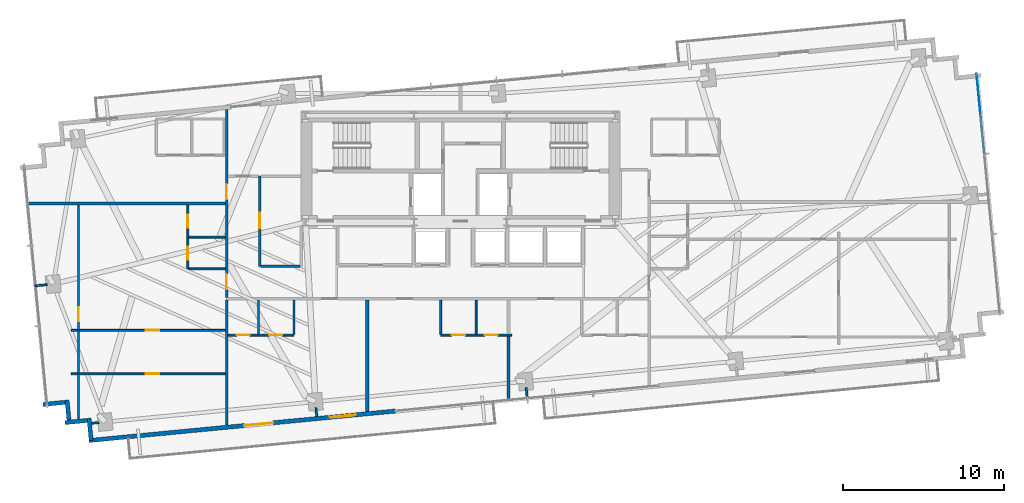
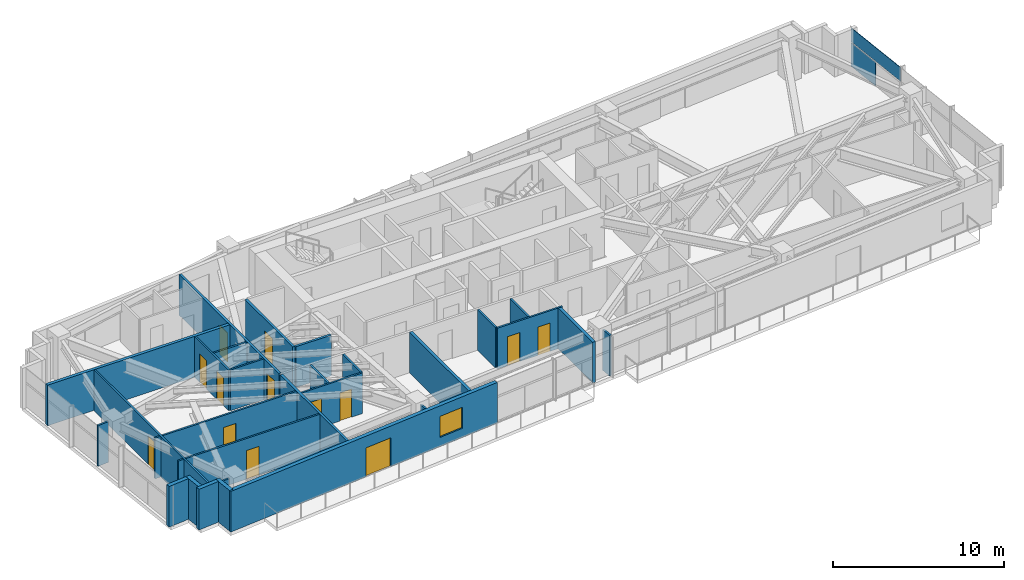
# One storey, part 21 of 27: 30 walls, 13 doors, 2 plates, 1 window, 14 openings, 1 element without a shape of its own.
"""IFC4 building model written with IfcOpenShell, lengths in metres."""

from ifc_helpers import new_model, si_unit, direction, frame, frame_2d, origin, origin_2d, place, context, subcontext, project, spatial, rectangle, extrude, source, transform, mapped, material, layer, layer_set, type_object, type_shapes, element, fill, aggregate, save


model = new_model("IFC4")

# Units and contexts
model_context = context("Model", 3, precision=1e-05, world=origin(), true_north=direction((0.0, 1.0)))
body_context = subcontext(model_context, "Body", "Model", "MODEL_VIEW")
ifc_project = project(units=[si_unit("LENGTHUNIT", "METRE"), si_unit("AREAUNIT", "SQUARE_METRE"), si_unit("VOLUMEUNIT", "CUBIC_METRE"), si_unit("PLANEANGLEUNIT", "RADIAN"), si_unit("MASSUNIT", "GRAM", prefix="KILO")], contexts=[model_context])

# Site, building, storey
site_placement = place(None, origin())
site = spatial("IfcSite", under=ifc_project, at=site_placement, CompositionType="ELEMENT")
building_placement = place(site_placement, origin())
building = spatial("IfcBuilding", under=site, at=building_placement, Name="Astriad Promenade Condominiums", CompositionType="ELEMENT")
storey_placement = place(building_placement, frame((0.0, 0.0, 116.199951171875)))
storey = spatial("IfcBuildingStorey", under=building, at=storey_placement, Name="L33", CompositionType="ELEMENT", Elevation=116.199951171875)

# Curtain wall, plates
ifc_material_1 = material(Name="Anodised aluminium Black Dark Glass Unitised", Category="aluminium")
curtain_wall_type = type_object("IfcCurtainWallType", Name="CW-B2-DARK", PredefinedType="USERDEFINED", material=ifc_material_1)
curtain_wall_placement = place(storey_placement, origin())
curtain_wall = element("IfcCurtainWall", 1, at=curtain_wall_placement, inside=storey, type_object=curtain_wall_type, Name="CW-L33-E", ObjectType="UNITISED_CURTAIN_WALL", PredefinedType="USERDEFINED")
ifc_material_2 = material(Name="Dark Tinted Low-E Laminated Glass", Category="glass")
ifc_layer_1 = layer(ifc_material_2, 0.035888671875)
ifc_layer_set_1 = layer_set([ifc_layer_1], Name="Dark Tinted Low-E Laminated Glass")
plate_type = type_object("IfcPlateType", Name="PNL-DARK-GLASS-36", PredefinedType="CURTAIN_PANEL", material=ifc_layer_set_1)
shared_shape_1 = source(origin(), body_context, "Body", "SweptSolid", [
    extrude(rectangle(XDim=2.488037109375, YDim=0.035888671875, at=origin_2d()), origin(), (0.0, 0.0, 1.0), 1.677978515625),
])
plate_1_placement = place(storey_placement, frame((68.134521484375, 25.364990234375, 0.080078125), z_axis=(0.0, 0.0, 1.0), x_axis=(0.09584575252, -0.995396198367, 0.0)))
plate_1 = element("IfcPlate", 2, at=plate_1_placement, type_object=plate_type, Name="CW-L33-E-PNL-00-VL", PredefinedType="CURTAIN_PANEL", context=body_context, shape_type="MappedRepresentation", body=[
    mapped(shared_shape_1, transform((0.0, 0.0, 0.0), scale=1.0)),
])
shared_shape_2 = source(origin(), body_context, "Body", "SweptSolid", [
    extrude(rectangle(XDim=4.988037109375, YDim=0.035888671875, at=origin_2d()), origin(), (0.0, 0.0, 1.0), 0.98193359375),
])
type_shapes(plate_type, [shared_shape_1, shared_shape_2])
plate_2_placement = place(storey_placement, frame((68.254150390625, 24.12060546875, 1.838134765625), z_axis=(0.0, 0.0, 1.0), x_axis=(0.09584575252, -0.995396198367, 0.0)))
plate_2 = element("IfcPlate", 3, at=plate_2_placement, type_object=plate_type, Name="CW-L33-E-PNL-00-S", PredefinedType="CURTAIN_PANEL", context=body_context, shape_type="MappedRepresentation", body=[
    mapped(shared_shape_2, transform((0.0, 0.0, 0.0), scale=1.0)),
])
aggregate(curtain_wall, [plate_1, plate_2])

# Wall
ifc_material_3 = material(Name="Fire-Rated Gypsum Partition")
ifc_layer_2 = layer(ifc_material_3, 0.159912109375)
ifc_layer_set_2 = layer_set([ifc_layer_2], Name="Fire-Rated Gypsum Partition")
wall_type_1 = type_object("IfcWallType", Name="WALL-CORR-160", PredefinedType="PARTITIONING", material=ifc_layer_set_2)
wall_1_placement = place(storey_placement, frame((21.5, 4.8125, 0.0), z_axis=(0.0, 0.0, 1.0), x_axis=(0.0, 1.0, 0.0)))
element("IfcWall", 4, at=wall_1_placement, inside=storey, type_object=wall_type_1, Name="PT-COR-W-L33", PredefinedType="PARTITIONING", context=body_context, shape_type="SweptSolid", body=[
    extrude(rectangle(XDim=7.755615234375, YDim=0.159912109375, at=frame_2d((3.8779296875, 0.0))), origin(), (0.0, 0.0, 1.0), 2.900146484375),
])

# Wall, openings, doors
wall_2_placement = place(storey_placement, frame((21.5, 12.73193359375, 0.0), z_axis=(0.0, 0.0, 1.0), x_axis=(0.0, 1.0, 0.0)))
wall_2 = element("IfcWall", 5, at=wall_2_placement, inside=storey, type_object=wall_type_1, Name="PT-COR-W-L33-S2", PredefinedType="PARTITIONING", context=body_context, shape_type="SweptSolid", body=[
    extrude(rectangle(XDim=11.646728515625, YDim=0.159912109375, at=frame_2d((5.8232421875, 0.0))), origin(), (0.0, 0.0, 1.0), 2.900146484375),
])
opening_1_placement = place(wall_2_placement, frame((0.492919921875, 0.0, 0.0)))
opening_1 = element("IfcOpeningElement", 6, at=opening_1_placement, cuts=wall_2, Name="Opening FD60-APT-095", PredefinedType="OPENING", context=body_context, shape_type="SweptSolid", body=[
    extrude(rectangle(XDim=0.949951171875, YDim=2.06005859375, at=frame_2d((0.47509765625, 1.030029296875))), frame((0.0, 0.08984375, 0.0), z_axis=(0.0, -1.0, 0.0), x_axis=(1.0, 0.0, 0.0)), (0.0, 0.0, 1.0), 0.179931640625),
])
opening_2_placement = place(wall_2_placement, frame((6.0849609375, 0.0, 0.0)))
opening_2 = element("IfcOpeningElement", 7, at=opening_2_placement, cuts=wall_2, Name="Opening FD60-APT-095", PredefinedType="OPENING", context=body_context, shape_type="SweptSolid", body=[
    extrude(rectangle(XDim=0.949951171875, YDim=2.06005859375, at=frame_2d((0.47509765625, 1.030029296875))), frame((0.0, 0.08984375, 0.0), z_axis=(0.0, -1.0, 0.0), x_axis=(1.0, 0.0, 0.0)), (0.0, 0.0, 1.0), 0.179931640625),
])
ifc_material_4 = material(Name="Solid-Core Acoustic Timber Residence Entry Door", Category="wood")
door_type_1 = type_object("IfcDoorType", Name="FD60-APT-095", OperationType="NOTDEFINED", PredefinedType="DOOR", material=ifc_material_4)
shared_shape_3 = source(origin(), body_context, "Body", "SweptSolid", [
    extrude(rectangle(XDim=0.949951171875, YDim=2.06005859375, at=frame_2d((0.47509765625, 1.030029296875))), frame((0.0, 0.02490234375, 0.0), z_axis=(0.0, -1.0, 0.0), x_axis=(1.0, 0.0, 0.0)), (0.0, 0.0, 1.0), 0.050048828125),
])
type_shapes(door_type_1, [shared_shape_3])
door_1_placement = place(opening_1_placement, origin())
door_1 = element("IfcDoor", 8, at=door_1_placement, inside=storey, type_object=door_type_1, Name="D-ENT-L33-W1", OperationType="SINGLE_SWING_LEFT", OverallHeight=2.06005859375, OverallWidth=0.949951171875, PredefinedType="DOOR", context=body_context, shape_type="MappedRepresentation", body=[
    mapped(shared_shape_3, transform((0.0, 0.0, 0.0), scale=1.0)),
])
fill(opening_1, door_1)
door_2_placement = place(opening_2_placement, origin())
door_2 = element("IfcDoor", 9, at=door_2_placement, inside=storey, type_object=door_type_1, Name="D-ENT-L33-W2", OperationType="SINGLE_SWING_LEFT", OverallHeight=2.06005859375, OverallWidth=0.949951171875, PredefinedType="DOOR", context=body_context, shape_type="MappedRepresentation", body=[
    mapped(shared_shape_3, transform((0.0, 0.0, 0.0), scale=1.0)),
])
fill(opening_2, door_2)

# Wall, opening, door
wall_3_placement = place(storey_placement, frame((23.550048828125, 14.659912109375, 0.0), z_axis=(0.0, 0.0, 1.0), x_axis=(0.0, 1.0, 0.0)))
wall_3 = element("IfcWall", 10, at=wall_3_placement, inside=storey, type_object=wall_type_1, Name="PT-HK-E-L33", PredefinedType="PARTITIONING", context=body_context, shape_type="SweptSolid", body=[
    extrude(rectangle(XDim=5.590087890625, YDim=0.159912109375, at=frame_2d((2.794921875, 0.0))), origin(), (0.0, 0.0, 1.0), 2.900146484375),
])
opening_3_placement = place(wall_3_placement, frame((2.360107421875, 0.0, 0.0)))
opening_3 = element("IfcOpeningElement", 11, at=opening_3_placement, cuts=wall_3, Name="Opening FD60-APT-095", PredefinedType="OPENING", context=body_context, shape_type="SweptSolid", body=[
    extrude(rectangle(XDim=0.949951171875, YDim=2.06005859375, at=frame_2d((0.47509765625, 1.030029296875))), frame((0.0, 0.08984375, 0.0), z_axis=(0.0, -1.0, 0.0), x_axis=(1.0, 0.0, 0.0)), (0.0, 0.0, 1.0), 0.179931640625),
])
door_3_placement = place(opening_3_placement, origin())
door_3 = element("IfcDoor", 12, at=door_3_placement, inside=storey, type_object=door_type_1, Name="D-HKA-L33", OperationType="SINGLE_SWING_RIGHT", OverallHeight=2.06005859375, OverallWidth=0.949951171875, PredefinedType="DOOR", context=body_context, shape_type="MappedRepresentation", body=[
    mapped(shared_shape_3, transform((0.0, 0.0, 0.0), scale=1.0)),
])
fill(opening_3, door_3)

# Walls
wall_4_placement = place(storey_placement, frame((23.632080078125, 14.659912109375, 0.0), z_axis=(0.0, 0.0, 1.0), x_axis=(1.0, 0.0, 0.0)))
element("IfcWall", 13, at=wall_4_placement, inside=storey, type_object=wall_type_1, Name="PT-HK-S-L33", PredefinedType="PARTITIONING", context=body_context, shape_type="SweptSolid", body=[
    extrude(rectangle(XDim=2.406005859375, YDim=0.159912109375, at=frame_2d((1.203125, 0.0))), origin(), (0.0, 0.0, 1.0), 2.900146484375),
])
ifc_material_5 = material(Name="Acoustic Double-Stud Gypsum Partition")
ifc_layer_3 = layer(ifc_material_5, 0.199951171875)
ifc_layer_set_3 = layer_set([ifc_layer_3], Name="Acoustic Double-Stud Gypsum Partition")
wall_type_2 = type_object("IfcWallType", Name="WALL-DEMISING-200", PredefinedType="PARTITIONING", material=ifc_layer_set_3)
wall_5_placement = place(storey_placement, frame((30.22509765625, 5.652587890625, 0.0), z_axis=(0.0, 0.0, 1.0), x_axis=(0.0, 1.0, 0.0)))
element("IfcWall", 14, at=wall_5_placement, inside=storey, type_object=wall_type_2, Name="PT-DEM-S1-L33", PredefinedType="PARTITIONING", context=body_context, shape_type="SweptSolid", body=[
    extrude(rectangle(XDim=6.91552734375, YDim=0.199951171875, at=frame_2d((3.457763671875, 0.0))), origin(), (0.0, 0.0, 1.0), 2.900146484375),
])
wall_6_placement = place(storey_placement, frame((38.97509765625, 6.3125, 0.0), z_axis=(0.0, 0.0, 1.0), x_axis=(0.0, 1.0, 0.0)))
element("IfcWall", 15, at=wall_6_placement, inside=storey, type_object=wall_type_2, Name="PT-DEM-S2-L33", PredefinedType="PARTITIONING", context=body_context, shape_type="SweptSolid", body=[
    extrude(rectangle(XDim=4.025390625, YDim=0.199951171875, at=frame_2d((2.0126953125, 0.0))), origin(), (0.0, 0.0, 1.0), 2.900146484375),
])
wall_7_placement = place(storey_placement, frame((9.1259765625, 18.550048828125, 0.0), z_axis=(0.0, 0.0, 1.0), x_axis=(1.0, 0.0, 0.0)))
element("IfcWall", 16, at=wall_7_placement, inside=storey, type_object=wall_type_2, Name="PT-DEM-WW-L33", PredefinedType="PARTITIONING", context=body_context, shape_type="SweptSolid", body=[
    extrude(rectangle(XDim=12.2919921875, YDim=0.199951171875, at=frame_2d((6.14599609375, 0.0))), origin(), (0.0, 0.0, 1.0), 2.900146484375),
])
ifc_material_6 = material(Name="Precast concrete C50/60", Category="concrete")
ifc_layer_4 = layer(ifc_material_6, 0.260009765625)
ifc_layer_set_4 = layer_set([ifc_layer_4], Name="Precast concrete C50/60")
wall_type_3 = type_object("IfcWallType", Name="WALL-EXT-TWR-260", PredefinedType="STANDARD", material=ifc_layer_set_4)
for number, where, z_axis, x_axis, name in (
    (17, (12.86669921875, 5.1044921875, 0.0), (0.0, 0.0, 1.0), (-0.995389446633, -0.095915846097, 0.0), "W-SER-L33-00"),
    (18, (11.738525390625, 4.98095703125, 0.0), (0.0, 0.0, 1.0), (-0.095915846097, 0.995389446633, 0.0), "W-SER-L33-01"),
):
    element("IfcWall", number, at=place(storey_placement, frame(where, z_axis=z_axis, x_axis=x_axis)), inside=storey, type_object=wall_type_3, Name=name, PredefinedType="STANDARD", context=body_context, shape_type="SweptSolid", body=[
        extrude(rectangle(XDim=1.394775390625, YDim=0.260009765625, at=frame_2d((0.697265625, 0.0))), origin(), (0.0, 0.0, 1.0), 2.900146484375),
    ])
wall_8_placement = place(storey_placement, frame((11.502685546875, 6.22900390625, 0.0), z_axis=(0.0, 0.0, 1.0), x_axis=(-0.995391056452, -0.09589913835, 0.0)))
element("IfcWall", 19, at=wall_8_placement, inside=storey, type_object=wall_type_3, Name="W-SER-L33-02", PredefinedType="STANDARD", context=body_context, shape_type="SweptSolid", body=[
    extrude(rectangle(XDim=1.39501953125, YDim=0.260009765625, at=frame_2d((0.697509765625, 0.0))), origin(), (0.0, 0.0, 1.0), 2.900146484375),
])

# Wall, openings, door, window
wall_9_placement = place(storey_placement, frame((31.99365234375, 5.6904296875, 0.0), z_axis=(0.0, 0.0, 1.0), x_axis=(-0.995396521236, -0.095842399342, 0.0)))
wall_9 = element("IfcWall", 20, at=wall_9_placement, inside=storey, type_object=wall_type_3, Name="W-EXT-L33-S2", PredefinedType="STANDARD", context=body_context, shape_type="SweptSolid", body=[
    extrude(rectangle(XDim=19.10986328125, YDim=0.260009765625, at=frame_2d((9.554931640625, 0.0))), origin(), (0.0, 0.0, 1.0), 2.900146484375),
])
opening_4_placement = place(wall_9_placement, frame((7.6298828125, 0.0, 0.0)))
opening_4 = element("IfcOpeningElement", 21, at=opening_4_placement, cuts=wall_9, Name="Opening BD-1822-SLD", PredefinedType="OPENING", context=body_context, shape_type="SweptSolid", body=[
    extrude(rectangle(XDim=1.800048828125, YDim=2.06005859375, at=frame_2d((0.89990234375, 1.030029296875))), frame((0.0, 0.139892578125, 0.0), z_axis=(0.0, -1.0, 0.0), x_axis=(1.0, 0.0, 0.0)), (0.0, 0.0, 1.0), 0.280029296875),
])
opening_5_placement = place(wall_9_placement, frame((2.5, 0.0, 0.64990234375)))
opening_5 = element("IfcOpeningElement", 22, at=opening_5_placement, cuts=wall_9, Name="Opening WIN-TWR-1620", PredefinedType="OPENING", context=body_context, shape_type="SweptSolid", body=[
    extrude(rectangle(XDim=1.60009765625, YDim=1.5, at=frame_2d((0.800048828125, 0.75))), frame((0.0, 0.139892578125, 0.0), z_axis=(0.0, -1.0, 0.0), x_axis=(1.0, 0.0, 0.0)), (0.0, 0.0, 1.0), 0.280029296875),
])
ifc_material_7 = material(Name="Thermally Broken Aluminium Sliding Balcony Door", Category="aluminium")
door_type_2 = type_object("IfcDoorType", Name="BD-1822-SLD", OperationType="NOTDEFINED", PredefinedType="DOOR", material=ifc_material_7)
shared_shape_4 = source(origin(), body_context, "Body", "SweptSolid", [
    extrude(rectangle(XDim=1.800048828125, YDim=2.06005859375, at=frame_2d((0.89990234375, 1.030029296875))), frame((0.0, 0.02490234375, 0.0), z_axis=(0.0, -1.0, 0.0), x_axis=(1.0, 0.0, 0.0)), (0.0, 0.0, 1.0), 0.050048828125),
])
type_shapes(door_type_2, [shared_shape_4])
door_4_placement = place(opening_4_placement, origin())
door_4 = element("IfcDoor", 23, at=door_4_placement, inside=storey, type_object=door_type_2, Name="BD-L33-SW", OperationType="SLIDING_TO_LEFT", OverallHeight=2.06005859375, OverallWidth=1.800048828125, PredefinedType="DOOR", context=body_context, shape_type="MappedRepresentation", body=[
    mapped(shared_shape_4, transform((0.0, 0.0, 0.0), scale=1.0)),
])
fill(opening_4, door_4)
ifc_material_8 = material(Name="Dark Tinted Triple-Glazed Aluminium Window", Category="aluminium")
window_type = type_object("IfcWindowType", Name="WIN-TWR-1620", PartitioningType="SINGLE_PANEL", PredefinedType="WINDOW", material=ifc_material_8)
shared_shape_5 = source(origin(), body_context, "Body", "SweptSolid", [
    extrude(rectangle(XDim=1.60009765625, YDim=1.5, at=frame_2d((0.800048828125, 0.75))), frame((0.0, 0.030029296875, 0.0), z_axis=(0.0, -1.0, 0.0), x_axis=(1.0, 0.0, 0.0)), (0.0, 0.0, 1.0), 0.06005859375),
])
type_shapes(window_type, [shared_shape_5])
window_placement = place(opening_5_placement, origin())
window = element("IfcWindow", 24, at=window_placement, inside=storey, type_object=window_type, Name="WIN-L33-SW", OverallHeight=1.5, OverallWidth=1.60009765625, PartitioningType="SINGLE_PANEL", PredefinedType="WINDOW", context=body_context, shape_type="MappedRepresentation", body=[
    mapped(shared_shape_5, transform((0.0, 0.0, 0.0), scale=1.0)),
])
fill(opening_5, window)

# Wall
wall_10_placement = place(storey_placement, frame((13.1025390625, 3.8564453125, 0.0), z_axis=(0.0, 0.0, 1.0), x_axis=(-0.09589913835, 0.995391056452, 0.0)))
element("IfcWall", 25, at=wall_10_placement, inside=storey, type_object=wall_type_3, Name="W-SER-L33-19", PredefinedType="STANDARD", context=body_context, shape_type="SweptSolid", body=[
    extrude(rectangle(XDim=1.39501953125, YDim=0.260009765625, at=frame_2d((0.697509765625, 0.0))), origin(), (0.0, 0.0, 1.0), 2.900146484375),
])

# Wall, openings, doors
ifc_material_9 = material(Name="Acoustic Metal-Stud Gypsum Partition")
ifc_layer_5 = layer(ifc_material_9, 0.1201171875)
ifc_layer_set_5 = layer_set([ifc_layer_5], Name="Acoustic Metal-Stud Gypsum Partition")
wall_type_4 = type_object("IfcWallType", Name="WALL-PART-120", PredefinedType="PARTITIONING", material=ifc_layer_set_5)
wall_11_placement = place(storey_placement, frame((21.58203125, 10.39990234375, 0.0), z_axis=(0.0, 0.0, 1.0), x_axis=(1.0, 0.0, 0.0)))
wall_11 = element("IfcWall", 26, at=wall_11_placement, inside=storey, type_object=wall_type_4, Name="PT-L33-S1-PS", PredefinedType="PARTITIONING", context=body_context, shape_type="SweptSolid", body=[
    extrude(rectangle(XDim=4.097900390625, YDim=0.1201171875, at=frame_2d((2.048828125, 0.0))), origin(), (0.0, 0.0, 1.0), 2.900146484375),
])
opening_6_placement = place(wall_11_placement, frame((0.548095703125, 0.0, 0.0)))
opening_6 = element("IfcOpeningElement", 27, at=opening_6_placement, cuts=wall_11, Name="Opening D-WET-080", PredefinedType="OPENING", context=body_context, shape_type="SweptSolid", body=[
    extrude(rectangle(XDim=0.800048828125, YDim=2.02001953125, at=frame_2d((0.39990234375, 1.010009765625))), frame((0.0, 0.070068359375, 0.0), z_axis=(0.0, -1.0, 0.0), x_axis=(1.0, 0.0, 0.0)), (0.0, 0.0, 1.0), 0.14013671875),
])
opening_7_placement = place(wall_11_placement, frame((2.572998046875, 0.0, 0.0)))
opening_7 = element("IfcOpeningElement", 28, at=opening_7_placement, cuts=wall_11, Name="Opening D-ULOW-080", PredefinedType="OPENING", context=body_context, shape_type="SweptSolid", body=[
    extrude(rectangle(XDim=0.800048828125, YDim=2.0, at=frame_2d((0.39990234375, 1.0))), frame((0.0, 0.070068359375, 0.0), z_axis=(0.0, -1.0, 0.0), x_axis=(1.0, 0.0, 0.0)), (0.0, 0.0, 1.0), 0.14013671875),
])
ifc_material_10 = material(Name="Moisture-Resistant Timber Bathroom Door", Category="wood")
door_type_3 = type_object("IfcDoorType", Name="D-WET-080", OperationType="NOTDEFINED", PredefinedType="DOOR", material=ifc_material_10)
shared_shape_6 = source(origin(), body_context, "Body", "SweptSolid", [
    extrude(rectangle(XDim=0.800048828125, YDim=2.02001953125, at=frame_2d((0.39990234375, 1.010009765625))), frame((0.0, 0.02490234375, 0.0), z_axis=(0.0, -1.0, 0.0), x_axis=(1.0, 0.0, 0.0)), (0.0, 0.0, 1.0), 0.050048828125),
])
type_shapes(door_type_3, [shared_shape_6])
door_5_placement = place(opening_6_placement, origin())
door_5 = element("IfcDoor", 29, at=door_5_placement, inside=storey, type_object=door_type_3, Name="D-BTH-L33-S1", OperationType="SINGLE_SWING_LEFT", OverallHeight=2.02001953125, OverallWidth=0.800048828125, PredefinedType="DOOR", context=body_context, shape_type="MappedRepresentation", body=[
    mapped(shared_shape_6, transform((0.0, 0.0, 0.0), scale=1.0)),
])
fill(opening_6, door_5)
ifc_material_11 = material(Name="Painted Timber Low-Headroom Door", Category="wood")
door_type_4 = type_object("IfcDoorType", Name="D-ULOW-080", OperationType="NOTDEFINED", PredefinedType="DOOR", material=ifc_material_11)
shared_shape_7 = source(origin(), body_context, "Body", "SweptSolid", [
    extrude(rectangle(XDim=0.800048828125, YDim=2.0, at=frame_2d((0.39990234375, 1.0))), frame((0.0, 0.02490234375, 0.0), z_axis=(0.0, -1.0, 0.0), x_axis=(1.0, 0.0, 0.0)), (0.0, 0.0, 1.0), 0.050048828125),
])
type_shapes(door_type_4, [shared_shape_7])
door_6_placement = place(opening_7_placement, origin())
door_6 = element("IfcDoor", 30, at=door_6_placement, inside=storey, type_object=door_type_4, Name="D-KIT-L33-S1", OperationType="SINGLE_SWING_RIGHT", OverallHeight=2.0, OverallWidth=0.800048828125, PredefinedType="DOOR", context=body_context, shape_type="MappedRepresentation", body=[
    mapped(shared_shape_7, transform((0.0, 0.0, 0.0), scale=1.0)),
])
fill(opening_7, door_6)

# Walls
for number, where, z_axis, x_axis, name in (
    (31, (25.679931640625, 10.4619140625, 0.0), (0.0, 0.0, 1.0), (0.0, 1.0, 0.0), "PT-L33-S1-PK"),
    (32, (23.47998046875, 10.4619140625, 0.0), (0.0, 0.0, 1.0), (0.0, 1.0, 0.0), "PT-L33-S1-PB"),
):
    element("IfcWall", number, at=place(storey_placement, frame(where, z_axis=z_axis, x_axis=x_axis)), inside=storey, type_object=wall_type_4, Name=name, PredefinedType="PARTITIONING", context=body_context, shape_type="SweptSolid", body=[
        extrude(rectangle(XDim=2.106201171875, YDim=0.1201171875, at=frame_2d((1.05322265625, 0.0))), origin(), (0.0, 0.0, 1.0), 2.900146484375),
    ])

# Wall, openings, doors
wall_12_placement = place(storey_placement, frame((34.77490234375, 10.39990234375, 0.0), z_axis=(0.0, 0.0, 1.0), x_axis=(1.0, 0.0, 0.0)))
wall_12 = element("IfcWall", 33, at=wall_12_placement, inside=storey, type_object=wall_type_4, Name="PT-L33-S2-PS", PredefinedType="PARTITIONING", context=body_context, shape_type="SweptSolid", body=[
    extrude(rectangle(XDim=4.400146484375, YDim=0.1201171875, at=frame_2d((2.2001953125, 0.0))), origin(), (0.0, 0.0, 1.0), 2.900146484375),
])
opening_8_placement = place(wall_12_placement, frame((0.675048828125, 0.0, 0.0)))
opening_8 = element("IfcOpeningElement", 34, at=opening_8_placement, cuts=wall_12, Name="Opening D-INT-085", PredefinedType="OPENING", context=body_context, shape_type="SweptSolid", body=[
    extrude(rectangle(XDim=0.85009765625, YDim=2.050048828125, at=frame_2d((0.425048828125, 1.02490234375))), frame((0.0, 0.070068359375, 0.0), z_axis=(0.0, -1.0, 0.0), x_axis=(1.0, 0.0, 0.0)), (0.0, 0.0, 1.0), 0.14013671875),
])
opening_9_placement = place(wall_12_placement, frame((2.75, 0.0, 0.0)))
opening_9 = element("IfcOpeningElement", 35, at=opening_9_placement, cuts=wall_12, Name="Opening D-WET-080", PredefinedType="OPENING", context=body_context, shape_type="SweptSolid", body=[
    extrude(rectangle(XDim=0.800048828125, YDim=2.02001953125, at=frame_2d((0.39990234375, 1.010009765625))), frame((0.0, 0.070068359375, 0.0), z_axis=(0.0, -1.0, 0.0), x_axis=(1.0, 0.0, 0.0)), (0.0, 0.0, 1.0), 0.14013671875),
])
door_7_placement = place(opening_9_placement, origin())
door_7 = element("IfcDoor", 36, at=door_7_placement, inside=storey, type_object=door_type_3, Name="D-BTH-L33-S2", OperationType="SINGLE_SWING_LEFT", OverallHeight=2.02001953125, OverallWidth=0.800048828125, PredefinedType="DOOR", context=body_context, shape_type="MappedRepresentation", body=[
    mapped(shared_shape_6, transform((0.0, 0.0, 0.0), scale=1.0)),
])
fill(opening_9, door_7)
ifc_material_12 = material(Name="Painted Solid-Core Timber Room Door", Category="wood")
door_type_5 = type_object("IfcDoorType", Name="D-INT-085", OperationType="NOTDEFINED", PredefinedType="DOOR", material=ifc_material_12)
shared_shape_8 = source(origin(), body_context, "Body", "SweptSolid", [
    extrude(rectangle(XDim=0.85009765625, YDim=2.050048828125, at=frame_2d((0.425048828125, 1.02490234375))), frame((0.0, 0.02490234375, 0.0), z_axis=(0.0, -1.0, 0.0), x_axis=(1.0, 0.0, 0.0)), (0.0, 0.0, 1.0), 0.050048828125),
])
type_shapes(door_type_5, [shared_shape_8])
door_8_placement = place(opening_8_placement, origin())
door_8 = element("IfcDoor", 37, at=door_8_placement, inside=storey, type_object=door_type_5, Name="D-KIT-L33-S2", OperationType="SINGLE_SWING_RIGHT", OverallHeight=2.050048828125, OverallWidth=0.85009765625, PredefinedType="DOOR", context=body_context, shape_type="MappedRepresentation", body=[
    mapped(shared_shape_8, transform((0.0, 0.0, 0.0), scale=1.0)),
])
fill(opening_8, door_8)

# Walls
for number, where, z_axis, x_axis, name in (
    (38, (34.77490234375, 10.4619140625, 0.0), (0.0, 0.0, 1.0), (0.0, 1.0, 0.0), "PT-L33-S2-PK"),
    (39, (36.97509765625, 10.4619140625, 0.0), (0.0, 0.0, 1.0), (0.0, 1.0, 0.0), "PT-L33-S2-PB"),
):
    element("IfcWall", number, at=place(storey_placement, frame(where, z_axis=z_axis, x_axis=x_axis)), inside=storey, type_object=wall_type_4, Name=name, PredefinedType="PARTITIONING", context=body_context, shape_type="SweptSolid", body=[
        extrude(rectangle(XDim=2.106201171875, YDim=0.1201171875, at=frame_2d((1.05322265625, 0.0))), origin(), (0.0, 0.0, 1.0), 2.900146484375),
    ])

# Wall, openings, doors
wall_13_placement = place(storey_placement, frame((19.10009765625, 14.5, 0.0), z_axis=(0.0, 0.0, 1.0), x_axis=(0.0, 1.0, 0.0)))
wall_13 = element("IfcWall", 40, at=wall_13_placement, inside=storey, type_object=wall_type_4, Name="PT-L33-W1-PV", PredefinedType="PARTITIONING", context=body_context, shape_type="SweptSolid", body=[
    extrude(rectangle(XDim=3.947998046875, YDim=0.1201171875, at=frame_2d((1.97412109375, 0.0))), origin(), (0.0, 0.0, 1.0), 2.900146484375),
])
opening_10_placement = place(wall_13_placement, frame((0.56298828125, 0.0, 0.0)))
opening_10 = element("IfcOpeningElement", 41, at=opening_10_placement, cuts=wall_13, Name="Opening D-ULOW-080", PredefinedType="OPENING", context=body_context, shape_type="SweptSolid", body=[
    extrude(rectangle(XDim=0.800048828125, YDim=2.0, at=frame_2d((0.39990234375, 1.0))), frame((0.0, 0.070068359375, 0.0), z_axis=(0.0, -1.0, 0.0), x_axis=(1.0, 0.0, 0.0)), (0.0, 0.0, 1.0), 0.14013671875),
])
opening_11_placement = place(wall_13_placement, frame((2.56201171875, 0.0, 0.0)))
opening_11 = element("IfcOpeningElement", 42, at=opening_11_placement, cuts=wall_13, Name="Opening D-WET-080", PredefinedType="OPENING", context=body_context, shape_type="SweptSolid", body=[
    extrude(rectangle(XDim=0.800048828125, YDim=2.02001953125, at=frame_2d((0.39990234375, 1.010009765625))), frame((0.0, 0.070068359375, 0.0), z_axis=(0.0, -1.0, 0.0), x_axis=(1.0, 0.0, 0.0)), (0.0, 0.0, 1.0), 0.14013671875),
])
door_9_placement = place(opening_11_placement, origin())
door_9 = element("IfcDoor", 43, at=door_9_placement, inside=storey, type_object=door_type_3, Name="D-BTH-L33-W1", OperationType="SINGLE_SWING_LEFT", OverallHeight=2.02001953125, OverallWidth=0.800048828125, PredefinedType="DOOR", context=body_context, shape_type="MappedRepresentation", body=[
    mapped(shared_shape_6, transform((0.0, 0.0, 0.0), scale=1.0)),
])
fill(opening_11, door_9)
door_10_placement = place(opening_10_placement, origin())
door_10 = element("IfcDoor", 44, at=door_10_placement, inside=storey, type_object=door_type_4, Name="D-KIT-L33-W1", OperationType="SINGLE_SWING_RIGHT", OverallHeight=2.0, OverallWidth=0.800048828125, PredefinedType="DOOR", context=body_context, shape_type="MappedRepresentation", body=[
    mapped(shared_shape_7, transform((0.0, 0.0, 0.0), scale=1.0)),
])
fill(opening_10, door_10)

# Walls
for number, where, z_axis, x_axis, name in (
    (45, (19.162109375, 16.47509765625, 0.0), (0.0, 0.0, 1.0), (1.0, 0.0, 0.0), "PT-L33-W1-PM"),
    (46, (19.162109375, 14.5, 0.0), (0.0, 0.0, 1.0), (1.0, 0.0, 0.0), "PT-L33-W1-PS"),
):
    element("IfcWall", number, at=place(storey_placement, frame(where, z_axis=z_axis, x_axis=x_axis)), inside=storey, type_object=wall_type_4, Name=name, PredefinedType="PARTITIONING", context=body_context, shape_type="SweptSolid", body=[
        extrude(rectangle(XDim=2.255859375, YDim=0.1201171875, at=frame_2d((1.1279296875, 0.0))), origin(), (0.0, 0.0, 1.0), 2.900146484375),
    ])

# Wall, opening, door
wall_14_placement = place(storey_placement, frame((12.31494140625, 5.18408203125, 0.0), z_axis=(0.0, 0.0, 1.0), x_axis=(0.0, 1.0, 0.0)))
wall_14 = element("IfcWall", 47, at=wall_14_placement, inside=storey, type_object=wall_type_4, Name="PT-L33-W1-B1", PredefinedType="PARTITIONING", context=body_context, shape_type="SweptSolid", body=[
    extrude(rectangle(XDim=13.263916015625, YDim=0.1201171875, at=frame_2d((6.6318359375, 0.0))), origin(), (0.0, 0.0, 1.0), 2.900146484375),
])
opening_12_placement = place(wall_14_placement, frame((6.075927734375, 0.0, 0.0)))
opening_12 = element("IfcOpeningElement", 48, at=opening_12_placement, cuts=wall_14, Name="Opening D-INT-085", PredefinedType="OPENING", context=body_context, shape_type="SweptSolid", body=[
    extrude(rectangle(XDim=0.85009765625, YDim=2.050048828125, at=frame_2d((0.425048828125, 1.02490234375))), frame((0.0, 0.070068359375, 0.0), z_axis=(0.0, -1.0, 0.0), x_axis=(1.0, 0.0, 0.0)), (0.0, 0.0, 1.0), 0.14013671875),
])
door_11_placement = place(opening_12_placement, origin())
door_11 = element("IfcDoor", 49, at=door_11_placement, inside=storey, type_object=door_type_5, Name="D-BD1-L33-W1", OperationType="SINGLE_SWING_RIGHT", OverallHeight=2.050048828125, OverallWidth=0.85009765625, PredefinedType="DOOR", context=body_context, shape_type="MappedRepresentation", body=[
    mapped(shared_shape_8, transform((0.0, 0.0, 0.0), scale=1.0)),
])
fill(opening_12, door_11)

# Wall
wall_15_placement = place(storey_placement, frame((11.875, 7.9951171875, 0.0), z_axis=(0.0, 0.0, 1.0), x_axis=(1.0, 0.0, 0.0)))
element("IfcWall", 50, at=wall_15_placement, inside=storey, type_object=wall_type_4, Name="PT-L33-W1-WDS1", PredefinedType="PARTITIONING", context=body_context, shape_type="SweptSolid", body=[
    extrude(rectangle(XDim=0.3779296875, YDim=0.1201171875, at=frame_2d((0.18896484375, 0.0))), origin(), (0.0, 0.0, 1.0), 2.900146484375),
])

# Wall, opening, door
wall_16_placement = place(storey_placement, frame((12.376953125, 7.9951171875, 0.0), z_axis=(0.0, 0.0, 1.0), x_axis=(1.0, 0.0, 0.0)))
wall_16 = element("IfcWall", 51, at=wall_16_placement, inside=storey, type_object=wall_type_4, Name="PT-L33-W1-WDS1-S2", PredefinedType="PARTITIONING", context=body_context, shape_type="SweptSolid", body=[
    extrude(rectangle(XDim=9.041015625, YDim=0.1201171875, at=frame_2d((4.5205078125, 0.0))), origin(), (0.0, 0.0, 1.0), 2.900146484375),
])
opening_13_placement = place(wall_16_placement, frame((4.095947265625, 0.0, 0.0)))
opening_13 = element("IfcOpeningElement", 52, at=opening_13_placement, cuts=wall_16, Name="Opening D-INT-085", PredefinedType="OPENING", context=body_context, shape_type="SweptSolid", body=[
    extrude(rectangle(XDim=0.85009765625, YDim=2.050048828125, at=frame_2d((0.425048828125, 1.02490234375))), frame((0.0, 0.070068359375, 0.0), z_axis=(0.0, -1.0, 0.0), x_axis=(1.0, 0.0, 0.0)), (0.0, 0.0, 1.0), 0.14013671875),
])
door_12_placement = place(opening_13_placement, origin())
door_12 = element("IfcDoor", 53, at=door_12_placement, inside=storey, type_object=door_type_5, Name="D-WDS1-L33-W1", OperationType="SINGLE_SWING_LEFT", OverallHeight=2.050048828125, OverallWidth=0.85009765625, PredefinedType="DOOR", context=body_context, shape_type="MappedRepresentation", body=[
    mapped(shared_shape_8, transform((0.0, 0.0, 0.0), scale=1.0)),
])
fill(opening_13, door_12)

# Wall
wall_17_placement = place(storey_placement, frame((11.875, 10.69189453125, 0.0), z_axis=(0.0, 0.0, 1.0), x_axis=(1.0, 0.0, 0.0)))
element("IfcWall", 54, at=wall_17_placement, inside=storey, type_object=wall_type_4, Name="PT-L33-W1-WDS2", PredefinedType="PARTITIONING", context=body_context, shape_type="SweptSolid", body=[
    extrude(rectangle(XDim=0.3779296875, YDim=0.1201171875, at=frame_2d((0.18896484375, 0.0))), origin(), (0.0, 0.0, 1.0), 2.900146484375),
])

# Wall, opening, door
wall_18_placement = place(storey_placement, frame((12.376953125, 10.69189453125, 0.0), z_axis=(0.0, 0.0, 1.0), x_axis=(1.0, 0.0, 0.0)))
wall_18 = element("IfcWall", 55, at=wall_18_placement, inside=storey, type_object=wall_type_4, Name="PT-L33-W1-WDS2-S2", PredefinedType="PARTITIONING", context=body_context, shape_type="SweptSolid", body=[
    extrude(rectangle(XDim=9.041015625, YDim=0.1201171875, at=frame_2d((4.5205078125, 0.0))), origin(), (0.0, 0.0, 1.0), 2.900146484375),
])
opening_14_placement = place(wall_18_placement, frame((4.095947265625, 0.0, 0.0)))
opening_14 = element("IfcOpeningElement", 56, at=opening_14_placement, cuts=wall_18, Name="Opening D-INT-085", PredefinedType="OPENING", context=body_context, shape_type="SweptSolid", body=[
    extrude(rectangle(XDim=0.85009765625, YDim=2.050048828125, at=frame_2d((0.425048828125, 1.02490234375))), frame((0.0, 0.070068359375, 0.0), z_axis=(0.0, -1.0, 0.0), x_axis=(1.0, 0.0, 0.0)), (0.0, 0.0, 1.0), 0.14013671875),
])
door_13_placement = place(opening_14_placement, origin())
door_13 = element("IfcDoor", 57, at=door_13_placement, inside=storey, type_object=door_type_5, Name="D-WDS2-L33-W1", OperationType="SINGLE_SWING_RIGHT", OverallHeight=2.050048828125, OverallWidth=0.85009765625, PredefinedType="DOOR", context=body_context, shape_type="MappedRepresentation", body=[
    mapped(shared_shape_8, transform((0.0, 0.0, 0.0), scale=1.0)),
])
fill(opening_14, door_13)

# Walls
wall_19_placement = place(storey_placement, frame((13.587646484375, 4.972900390625, 0.0), z_axis=(0.0, 0.0, 1.0), x_axis=(-0.995435366701, -0.095438098896, 0.0)))
element("IfcWall", 58, at=wall_19_placement, inside=storey, type_object=wall_type_4, Name="PT-PIL-L33-PC01-8", PredefinedType="PARTITIONING", context=body_context, shape_type="SweptSolid", body=[
    extrude(rectangle(XDim=0.4580078125, YDim=0.1201171875, at=frame_2d((0.22900390625, 0.0))), origin(), (0.0, 0.0, 1.0), 2.900146484375),
])
wall_20_placement = place(storey_placement, frame((27.0419921875, 5.88671875, 0.0), z_axis=(0.0, 0.0, 1.0), x_axis=(0.096222656154, -0.995359834654, 0.0)))
element("IfcWall", 59, at=wall_20_placement, inside=storey, type_object=wall_type_4, Name="PT-PIL-L33-PC02-9", PredefinedType="PARTITIONING", context=body_context, shape_type="SweptSolid", body=[
    extrude(rectangle(XDim=0.537841796875, YDim=0.1201171875, at=frame_2d((0.26904296875, 0.0))), origin(), (0.0, 0.0, 1.0), 2.900146484375),
])
wall_21_placement = place(storey_placement, frame((40.081787109375, 7.142333984375, 0.0), z_axis=(0.0, 0.0, 1.0), x_axis=(0.095944965663, -0.995386640238, 0.0)))
element("IfcWall", 60, at=wall_21_placement, inside=storey, type_object=wall_type_4, Name="PT-PIL-L33-PC03-10", PredefinedType="PARTITIONING", context=body_context, shape_type="SweptSolid", body=[
    extrude(rectangle(XDim=0.72021484375, YDim=0.1201171875, at=frame_2d((0.360107421875, 0.0))), origin(), (0.0, 0.0, 1.0), 2.900146484375),
])
wall_22_placement = place(storey_placement, frame((10.373291015625, 13.5244140625, 0.0), z_axis=(0.0, 0.0, 1.0), x_axis=(-0.995377786728, -0.096036772582, 0.0)))
element("IfcWall", 61, at=wall_22_placement, inside=storey, type_object=wall_type_4, Name="PT-PIL-L33-PC11-18", PredefinedType="PARTITIONING", context=body_context, shape_type="SweptSolid", body=[
    extrude(rectangle(XDim=0.760009765625, YDim=0.1201171875, at=frame_2d((0.3798828125, 0.0))), origin(), (0.0, 0.0, 1.0), 2.900146484375),
])

save(model, "model.ifc")
